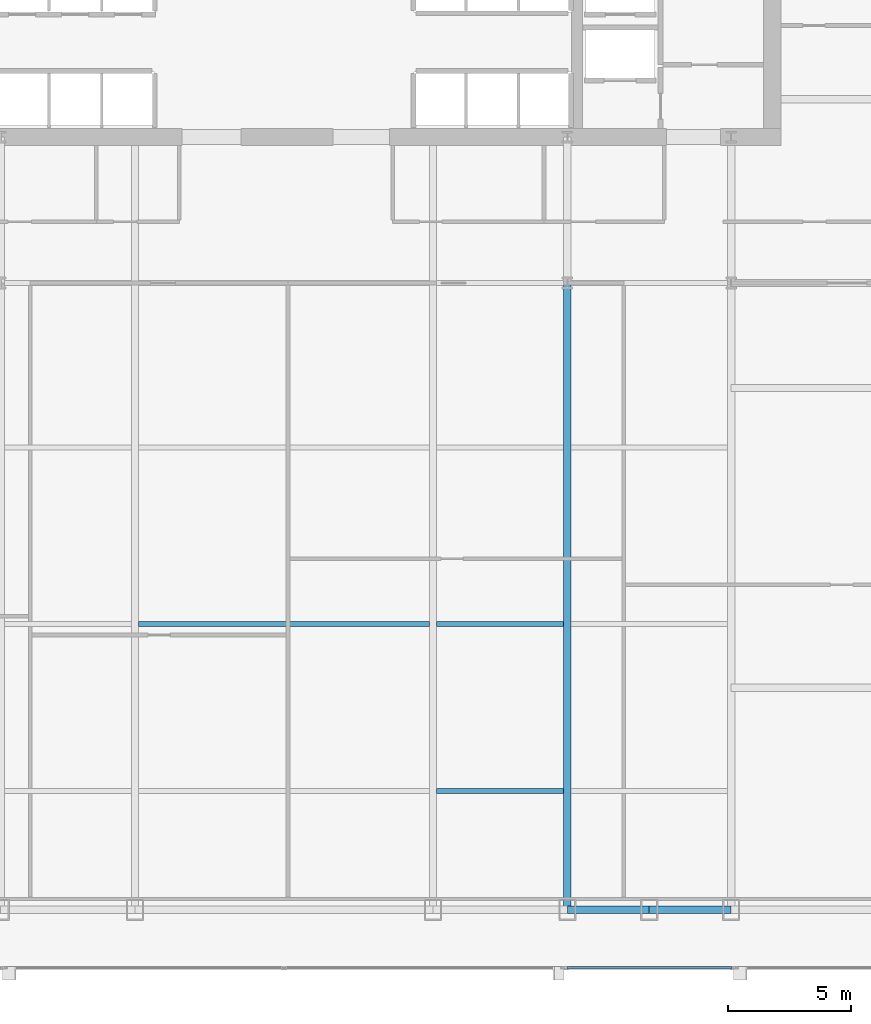
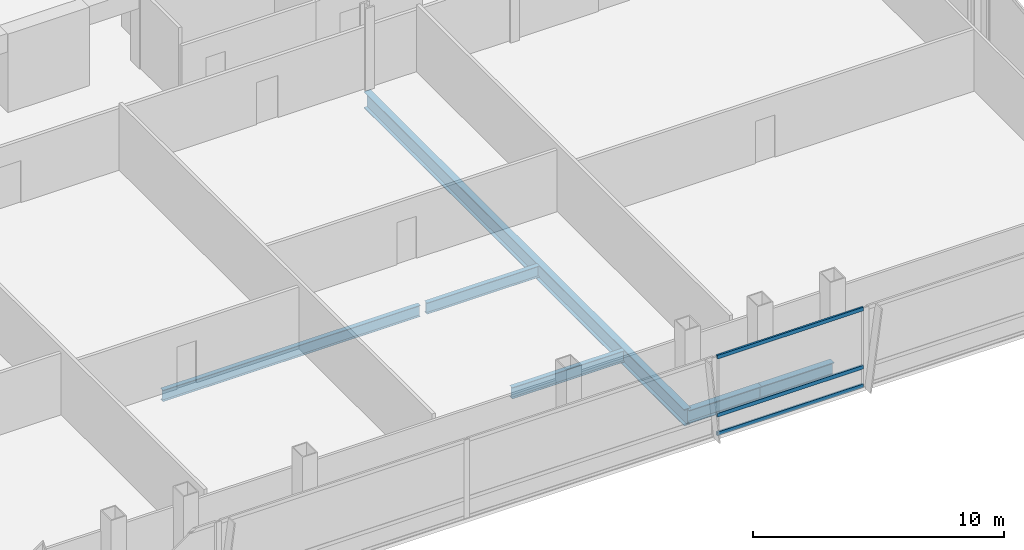
# One storey, part 14 of 30: 6 beams, 3 members, 1 element without a shape of its own.
"""IFC4 building model written with IfcOpenShell, lengths in metres."""

from ifc_helpers import new_model, si_unit, direction, frame, origin, origin_2d, place, context, subcontext, project, spatial, hollow_rectangle, i_section, extrude, material, material_profile, profile_set, type_object, element, aggregate, save


model = new_model("IFC4")

# Units and contexts
model_context = context("Model", 3, precision=1e-05, world=origin(), true_north=direction((0.0, 1.0)))
body_context = subcontext(model_context, "Body", "Model", "MODEL_VIEW")
ifc_project = project(units=[si_unit("LENGTHUNIT", "METRE"), si_unit("AREAUNIT", "SQUARE_METRE"), si_unit("VOLUMEUNIT", "CUBIC_METRE"), si_unit("PLANEANGLEUNIT", "RADIAN"), si_unit("MASSUNIT", "GRAM", prefix="KILO")], contexts=[model_context])

# Site, building, storey
site_placement = place(None, origin())
site = spatial("IfcSite", under=ifc_project, at=site_placement, CompositionType="ELEMENT")
building_placement = place(site_placement, origin())
building = spatial("IfcBuilding", under=site, at=building_placement, Name="Khoronbel Lancet Exchange", CompositionType="ELEMENT")
storey_placement = place(building_placement, frame((0.0, 0.0, 98.60009765625)))
storey = spatial("IfcBuildingStorey", under=building, at=storey_placement, Name="L23", CompositionType="ELEMENT", Elevation=98.60009765625)

# Beams
ifc_material_1 = material(Name="Steel S355", Category="steel")
ifc_material_profile_1 = material_profile(ifc_material_1, i_section(OverallWidth=0.300048828125, OverallDepth=0.800048828125, WebThickness=0.017578125, FlangeThickness=0.032958984375, at=origin_2d()), Name="HEB 800")
ifc_profile_set_1 = profile_set([ifc_material_profile_1], Name="Steel S355")
beam_type_1 = type_object("IfcBeamType", Name="BM-BG2", PredefinedType="BEAM", material=ifc_profile_set_1)
beam_1_placement = place(storey_placement, frame((48.0, 10.14990234375, -0.580078125), z_axis=(0.0, 1.0, 0.0), x_axis=(-1.0, 0.0, 0.0)))
element("IfcBeam", 1, at=beam_1_placement, inside=storey, type_object=beam_type_1, Name="Level L23 south primary girder GS5", PredefinedType="BEAM", context=body_context, shape_type="SweptSolid", body=[
    extrude(i_section(OverallWidth=0.300048828125, OverallDepth=0.800048828125, WebThickness=0.017578125, FlangeThickness=0.032958984375, at=origin_2d()), origin(), (0.0, 0.0, 1.0), 25.550048828125),
])
ifc_material_profile_2 = material_profile(ifc_material_1, i_section(OverallWidth=0.2099609375, OverallDepth=0.550048828125, WebThickness=0.010986328125, FlangeThickness=0.01708984375, at=origin_2d()), Name="IPE 550")
ifc_profile_set_2 = profile_set([ifc_material_profile_2], Name="Steel S355")
beam_type_2 = type_object("IfcBeamType", Name="BM-BJ2", PredefinedType="JOIST", material=ifc_profile_set_2)
beam_2_placement = place(storey_placement, frame((42.675048828125, 15.0, -0.455078125), z_axis=(1.0, 0.0, 0.0), x_axis=(0.0, 1.0, 0.0)))
element("IfcBeam", 2, at=beam_2_placement, inside=storey, type_object=beam_type_2, Name="Level L23 secondary composite joist J04", PredefinedType="JOIST", context=body_context, shape_type="SweptSolid", body=[
    extrude(i_section(OverallWidth=0.2099609375, OverallDepth=0.550048828125, WebThickness=0.010986328125, FlangeThickness=0.01708984375, at=origin_2d()), origin(), (0.0, 0.0, 1.0), 5.175048828125),
])
beam_3_placement = place(storey_placement, frame((30.52490234375, 21.800048828125, -0.455078125), z_axis=(1.0, 0.0, 0.0), x_axis=(0.0, 1.0, 0.0)))
element("IfcBeam", 3, at=beam_3_placement, inside=storey, type_object=beam_type_2, Name="Level L23 secondary composite joist J08", PredefinedType="JOIST", context=body_context, shape_type="SweptSolid", body=[
    extrude(i_section(OverallWidth=0.2099609375, OverallDepth=0.550048828125, WebThickness=0.010986328125, FlangeThickness=0.01708984375, at=origin_2d()), origin(), (0.0, 0.0, 1.0), 11.85009765625),
])
beam_4_placement = place(storey_placement, frame((42.675048828125, 21.800048828125, -0.455078125), z_axis=(1.0, 0.0, 0.0), x_axis=(0.0, 1.0, 0.0)))
element("IfcBeam", 4, at=beam_4_placement, inside=storey, type_object=beam_type_2, Name="Level L23 secondary composite joist J09", PredefinedType="JOIST", context=body_context, shape_type="SweptSolid", body=[
    extrude(i_section(OverallWidth=0.2099609375, OverallDepth=0.550048828125, WebThickness=0.010986328125, FlangeThickness=0.01708984375, at=origin_2d()), origin(), (0.0, 0.0, 1.0), 5.175048828125),
])
ifc_material_profile_3 = material_profile(ifc_material_1, i_section(OverallWidth=0.300048828125, OverallDepth=0.64990234375, WebThickness=0.01611328125, FlangeThickness=0.031005859375, at=origin_2d()), Name="HEB 650")
ifc_profile_set_3 = profile_set([ifc_material_profile_3], Name="Steel S355")
beam_type_3 = type_object("IfcBeamType", Name="BM-BSP1", PredefinedType="SPANDREL", material=ifc_profile_set_3)
beam_5_placement = place(storey_placement, frame((48.0, 10.14990234375, -0.505126953125), z_axis=(1.0, 0.0, 0.0), x_axis=(0.0, 1.0, 0.0)))
element("IfcBeam", 5, at=beam_5_placement, inside=storey, type_object=beam_type_3, Name="Level L23 perimeter spandrel beam SP07", PredefinedType="SPANDREL", context=body_context, shape_type="SweptSolid", body=[
    extrude(i_section(OverallWidth=0.300048828125, OverallDepth=0.64990234375, WebThickness=0.01611328125, FlangeThickness=0.031005859375, at=origin_2d()), origin(), (0.0, 0.0, 1.0), 3.33740234375),
])
beam_6_placement = place(storey_placement, frame((51.33740234375, 10.14990234375, -0.505126953125), z_axis=(1.0, 0.0, 0.0), x_axis=(0.0, 1.0, 0.0)))
element("IfcBeam", 6, at=beam_6_placement, inside=storey, type_object=beam_type_3, Name="Level L23 perimeter spandrel beam SP08", PredefinedType="SPANDREL", context=body_context, shape_type="SweptSolid", body=[
    extrude(i_section(OverallWidth=0.300048828125, OverallDepth=0.64990234375, WebThickness=0.01611328125, FlangeThickness=0.031005859375, at=origin_2d()), origin(), (0.0, 0.0, 1.0), 3.337646484375),
])

# Curtain wall, members
ifc_material_2 = material(Name="Low-E Solar Control Insulating Glass", Category="glass")
curtain_wall_type = type_object("IfcCurtainWallType", Name="CW-2", PredefinedType="NOTDEFINED", material=ifc_material_2)
curtain_wall_placement = place(storey_placement, origin())
curtain_wall = element("IfcCurtainWall", 7, at=curtain_wall_placement, inside=storey, type_object=curtain_wall_type, Name="Unitised curtain wall CW-L23-SEB", PredefinedType="NOTDEFINED")
ifc_material_3 = material(Name="Bronze-Anodised Aluminium 6063-T6", Category="aluminium")
ifc_material_profile_4 = material_profile(ifc_material_3, hollow_rectangle(XDim=0.0849609375, YDim=0.179931640625, WallThickness=0.0048828125, at=origin_2d()), Name="ALU TRANSOM 85x180")
ifc_profile_set_4 = profile_set([ifc_material_profile_4], Name="Bronze-Anodised Aluminium 6063-T6")
member_type = type_object("IfcMemberType", Name="MEM-CWT1", PredefinedType="USERDEFINED", material=ifc_profile_set_4)
member_1_placement = place(storey_placement, frame((47.985107421875, 7.7900390625, 0.04248046875), z_axis=(1.0, 0.0, 0.0), x_axis=(0.0, 1.0, 0.0)))
member_1 = element("IfcMember", 8, at=member_1_placement, type_object=member_type, Name="CW2 transom 1.1", ObjectType="TRANSOM", PredefinedType="USERDEFINED", context=body_context, shape_type="SweptSolid", body=[
    extrude(hollow_rectangle(XDim=0.0849609375, YDim=0.179931640625, WallThickness=0.0048828125, at=origin_2d()), origin(), (0.0, 0.0, 1.0), 6.72998046875),
])
member_2_placement = place(storey_placement, frame((47.985107421875, 7.7900390625, 0.949951171875), z_axis=(1.0, 0.0, 0.0), x_axis=(0.0, 1.0, 0.0)))
member_2 = element("IfcMember", 9, at=member_2_placement, type_object=member_type, Name="CW2 transom 1.2", ObjectType="TRANSOM", PredefinedType="USERDEFINED", context=body_context, shape_type="SweptSolid", body=[
    extrude(hollow_rectangle(XDim=0.0849609375, YDim=0.179931640625, WallThickness=0.0048828125, at=origin_2d()), origin(), (0.0, 0.0, 1.0), 6.72998046875),
])
member_3_placement = place(storey_placement, frame((47.985107421875, 7.7900390625, 3.77734375), z_axis=(1.0, 0.0, 0.0), x_axis=(0.0, 1.0, 0.0)))
member_3 = element("IfcMember", 10, at=member_3_placement, type_object=member_type, Name="CW2 transom 1.3", ObjectType="TRANSOM", PredefinedType="USERDEFINED", context=body_context, shape_type="SweptSolid", body=[
    extrude(hollow_rectangle(XDim=0.0849609375, YDim=0.179931640625, WallThickness=0.0048828125, at=origin_2d()), origin(), (0.0, 0.0, 1.0), 6.72998046875),
])
aggregate(curtain_wall, [member_1, member_2, member_3])

save(model, "model.ifc")
